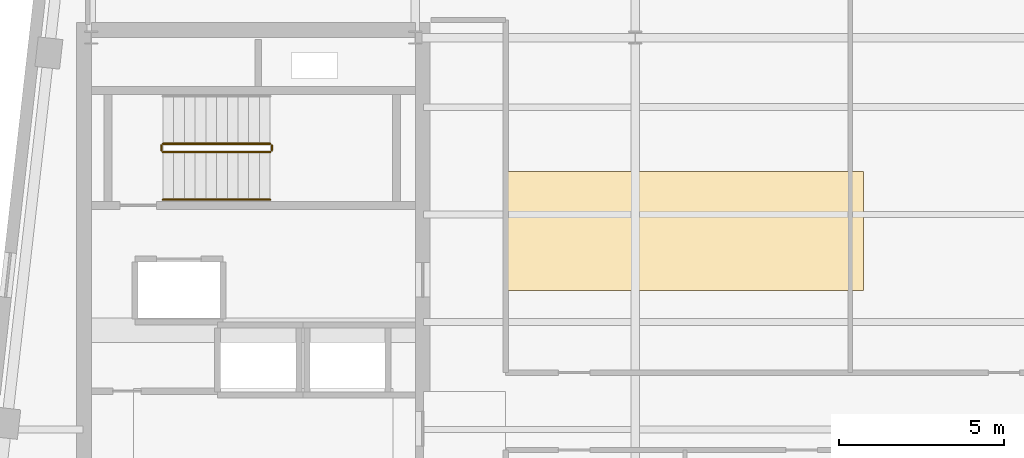
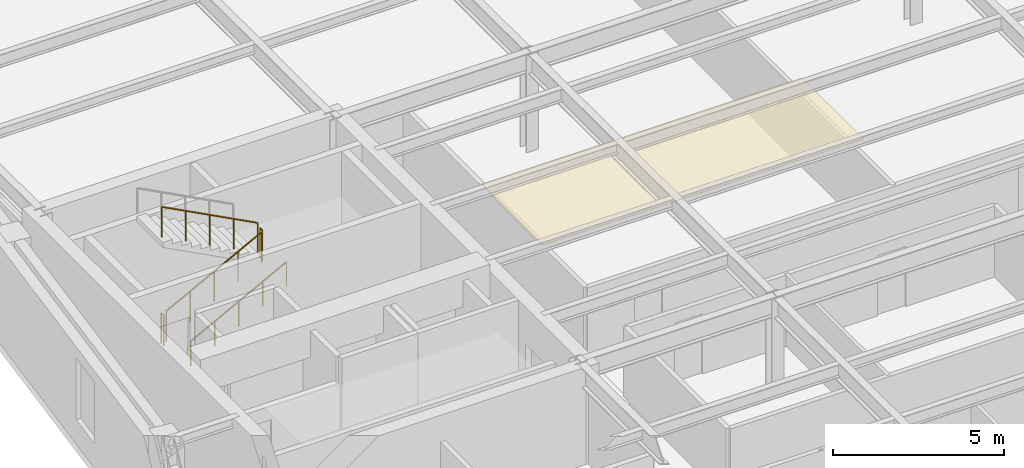
# One storey, part 11 of 13: 5 railings, 1 covering.
"""IFC4 building model written with IfcOpenShell, lengths in metres."""

from ifc_helpers import new_model, si_unit, direction, frame, origin, origin_2d, place, context, subcontext, project, spatial, polyline, circle, outline, extrude, material, layer, layer_set, type_object, element, save


model = new_model("IFC4")

# Units and contexts
model_context = context("Model", 3, precision=1e-05, world=origin(), true_north=direction((0.0, 1.0)))
body_context = subcontext(model_context, "Body", "Model", "MODEL_VIEW")
ifc_project = project(units=[si_unit("LENGTHUNIT", "METRE"), si_unit("AREAUNIT", "SQUARE_METRE"), si_unit("VOLUMEUNIT", "CUBIC_METRE"), si_unit("PLANEANGLEUNIT", "RADIAN"), si_unit("MASSUNIT", "GRAM", prefix="KILO")], contexts=[model_context])

# Site, building, storey
site_placement = place(None, origin())
site = spatial("IfcSite", under=ifc_project, at=site_placement, CompositionType="ELEMENT")
building_placement = place(site_placement, origin())
building = spatial("IfcBuilding", under=site, at=building_placement, Name="Kolvaren Arena Tower", CompositionType="ELEMENT")
storey_placement = place(building_placement, frame((0.0, 0.0, 262.199951171875)))
storey = spatial("IfcBuildingStorey", under=building, at=storey_placement, Name="L64", CompositionType="ELEMENT", Elevation=262.199951171875)

# Covering
ifc_material_1 = material(Name="Mineral fibre acoustic ceiling tile", Category="gypsum")
ifc_layer = layer(ifc_material_1, 0.02490234375)
ifc_layer_set = layer_set([ifc_layer], Name="Mineral fibre acoustic ceiling tile")
covering_type = type_object("IfcCoveringType", Name="CEIL-ACT-1", PredefinedType="CEILING", material=ifc_layer_set)
covering_placement = place(storey_placement, frame((0.0, 0.0, 2.52001953125)))
element("IfcCovering", 1, at=covering_placement, inside=storey, type_object=covering_type, Name="Suspended Ceiling (L64)", PredefinedType="CEILING", context=body_context, shape_type="SweptSolid", body=[
    extrude(outline(polyline([(27.050048828125, 26.199951171875), (27.050048828125, 29.800048828125), (37.89990234375, 29.800048828125), (37.89990234375, 26.199951171875), (27.050048828125, 26.199951171875)])), origin(), (0.0, 0.0, 1.0), 0.025146484375),
])

# Railings
ifc_material_2 = material(Name="Painted galvanized steel", Category="steel")
railing_type_1 = type_object("IfcRailingType", Name="GUARD-ST-110", PredefinedType="GUARDRAIL", material=ifc_material_2)
railing_1_placement = place(storey_placement, frame((16.719970703125, 30.389892578125, 0.17041015625)))
element("IfcRailing", 2, at=railing_1_placement, inside=storey, type_object=railing_type_1, Name="L64 ST-W1 stair guard 1", PredefinedType="GUARDRAIL", context=body_context, shape_type="SweptSolid", body=[
    extrude(circle(Radius=0.02392578125, at=origin_2d()), frame((0.0, 0.0, 1.076171875), z_axis=(0.884993431791, 0.0, 0.465603506952), x_axis=(0.0, 1.0, 0.0)), (0.0, 0.0, 1.0), 3.6611328125),
    extrude(circle(Radius=0.02099609375, at=origin_2d()), origin(), (0.0, 0.0, 1.0), 1.052001953125),
    extrude(circle(Radius=0.02099609375, at=origin_2d()), frame((0.81005859375, 0.0, 0.42626953125)), (0.0, 0.0, 1.0), 1.052001953125),
    extrude(circle(Radius=0.02099609375, at=origin_2d()), frame((1.6201171875, 0.0, 0.852294921875)), (0.0, 0.0, 1.0), 1.052001953125),
    extrude(circle(Radius=0.02099609375, at=origin_2d()), frame((2.429931640625, 0.0, 1.2783203125)), (0.0, 0.0, 1.0), 1.052001953125),
    extrude(circle(Radius=0.02099609375, at=origin_2d()), frame((3.239990234375, 0.0, 1.70458984375)), (0.0, 0.0, 1.0), 1.052001953125),
])
railing_2_placement = place(storey_placement, frame((20.010009765625, 30.43994140625, 1.875)))
element("IfcRailing", 3, at=railing_2_placement, inside=storey, type_object=railing_type_1, Name="L64 ST-W1 stair guard 2", PredefinedType="GUARDRAIL", context=body_context, shape_type="SweptSolid", body=[
    extrude(circle(Radius=0.02392578125, at=origin_2d()), frame((0.0, 0.0, 1.076171875), z_axis=(0.0, 1.0, 0.0), x_axis=(-1.0, 0.0, 0.0)), (0.0, 0.0, 1.0), 0.150146484375),
    extrude(circle(Radius=0.02099609375, at=origin_2d()), origin(), (0.0, 0.0, 1.0), 1.052001953125),
    extrude(circle(Radius=0.02099609375, at=origin_2d()), frame((0.0, 0.150146484375, 0.0)), (0.0, 0.0, 1.0), 1.052001953125),
])
railing_3_placement = place(storey_placement, frame((19.9599609375, 30.639892578125, 2.04541015625)))
element("IfcRailing", 4, at=railing_3_placement, inside=storey, type_object=railing_type_1, Name="L64 ST-W1 stair guard 3", PredefinedType="GUARDRAIL", context=body_context, shape_type="SweptSolid", body=[
    extrude(circle(Radius=0.02392578125, at=origin_2d()), frame((0.0, 0.0, 1.076171875), z_axis=(-0.884993431791, 0.0, 0.465603506952), x_axis=(0.0, -1.0, 0.0)), (0.0, 0.0, 1.0), 3.6611328125),
    extrude(circle(Radius=0.02099609375, at=origin_2d()), origin(), (0.0, 0.0, 1.0), 1.052001953125),
    extrude(circle(Radius=0.02099609375, at=origin_2d()), frame((-0.81005859375, 0.0, 0.42626953125)), (0.0, 0.0, 1.0), 1.052001953125),
    extrude(circle(Radius=0.02099609375, at=origin_2d()), frame((-1.6201171875, 0.0, 0.852294921875)), (0.0, 0.0, 1.0), 1.052001953125),
    extrude(circle(Radius=0.02099609375, at=origin_2d()), frame((-2.429931640625, 0.0, 1.2783203125)), (0.0, 0.0, 1.0), 1.052001953125),
    extrude(circle(Radius=0.02099609375, at=origin_2d()), frame((-3.239990234375, 0.0, 1.70458984375)), (0.0, 0.0, 1.0), 1.052001953125),
])
railing_4_placement = place(storey_placement, frame((16.669921875, 30.43994140625, 0.0)))
element("IfcRailing", 5, at=railing_4_placement, inside=storey, type_object=railing_type_1, Name="L64 ST-W1 stair guard 4", PredefinedType="GUARDRAIL", context=body_context, shape_type="SweptSolid", body=[
    extrude(circle(Radius=0.02392578125, at=origin_2d()), frame((0.0, 0.0, 1.076171875), z_axis=(0.0, 1.0, 0.0), x_axis=(-1.0, 0.0, 0.0)), (0.0, 0.0, 1.0), 0.150146484375),
    extrude(circle(Radius=0.02099609375, at=origin_2d()), origin(), (0.0, 0.0, 1.0), 1.052001953125),
    extrude(circle(Radius=0.02099609375, at=origin_2d()), frame((0.0, 0.150146484375, 0.0)), (0.0, 0.0, 1.0), 1.052001953125),
])
ifc_material_3 = material(Name="Brushed stainless steel handrail", Category="steel")
railing_type_2 = type_object("IfcRailingType", Name="HRAIL-900", PredefinedType="HANDRAIL", material=ifc_material_3)
railing_5_placement = place(storey_placement, frame((16.719970703125, 28.949951171875, 0.17041015625)))
element("IfcRailing", 6, at=railing_5_placement, inside=storey, type_object=railing_type_2, Name="L64 ST-W1 stair handrail 1", PredefinedType="HANDRAIL", context=body_context, shape_type="SweptSolid", body=[
    extrude(circle(Radius=0.02392578125, at=origin_2d()), frame((0.0, 0.0, 0.8759765625), z_axis=(0.884993431791, 0.0, 0.465603506952), x_axis=(0.0, 1.0, 0.0)), (0.0, 0.0, 1.0), 3.6611328125),
    extrude(circle(Radius=0.02099609375, at=origin_2d()), origin(), (0.0, 0.0, 1.0), 0.851806640625),
    extrude(circle(Radius=0.02099609375, at=origin_2d()), frame((0.81005859375, 0.0, 0.42626953125)), (0.0, 0.0, 1.0), 0.851806640625),
    extrude(circle(Radius=0.02099609375, at=origin_2d()), frame((1.6201171875, 0.0, 0.852294921875)), (0.0, 0.0, 1.0), 0.851806640625),
    extrude(circle(Radius=0.02099609375, at=origin_2d()), frame((2.429931640625, 0.0, 1.2783203125)), (0.0, 0.0, 1.0), 0.851806640625),
    extrude(circle(Radius=0.02099609375, at=origin_2d()), frame((3.239990234375, 0.0, 1.70458984375)), (0.0, 0.0, 1.0), 0.851806640625),
])

save(model, "model.ifc")
